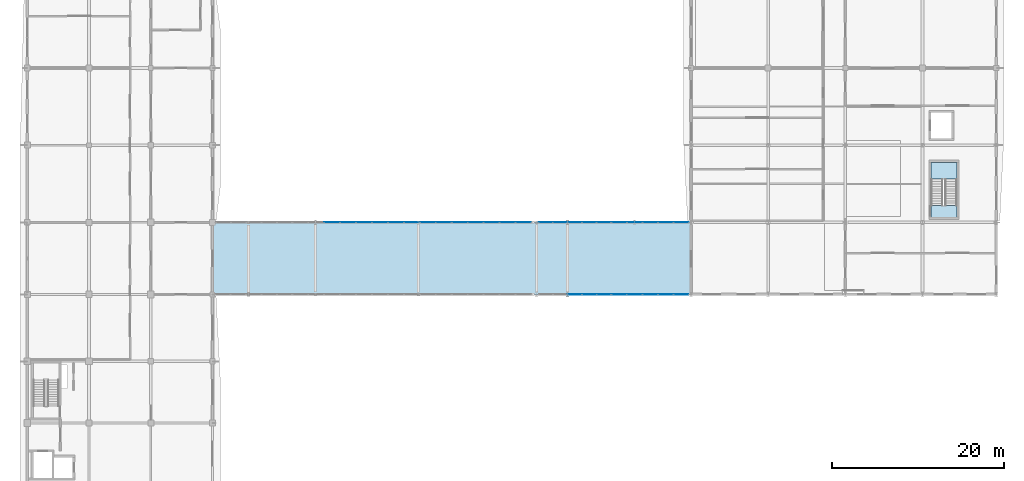
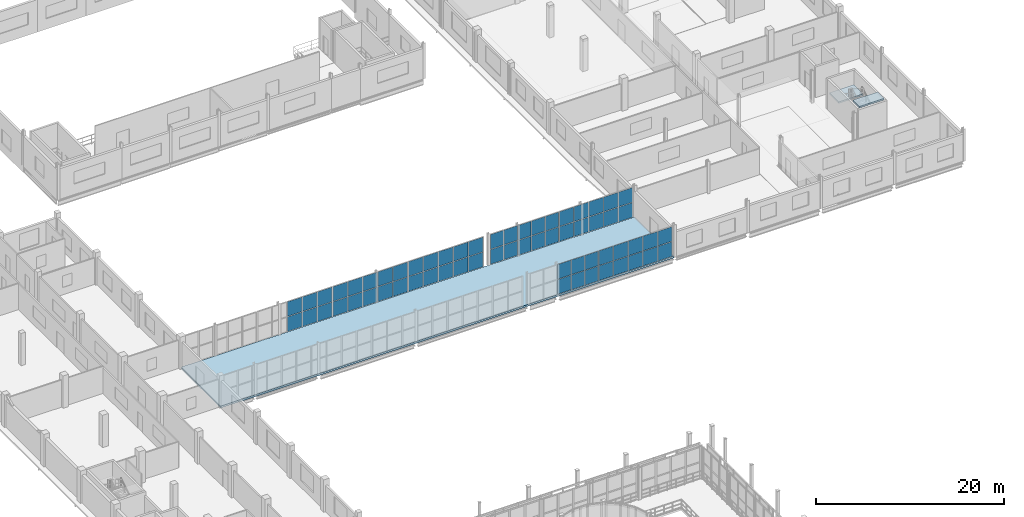
# One storey, part 86 of 121: 62 plates, 3 slabs, 8 elements without a shape of their own.
"""IFC4 building model written with IfcOpenShell, lengths in metres."""

import ifcopenshell
import ifcopenshell.guid

model = None  # the IFC model being written
_history = None  # IfcOwnerHistory: only IFC2X3 demands one
_inside = {}  # id of a spatial element -> (the spatial element, [elements in it])
_under = {}  # id of a project, library or spatial element -> (it, [spatial elements below it])
_declared = {}  # id of a project -> (the project, [libraries it declares])
_typed = {}  # id of a type object -> (the type object, [elements of that type])
_made_of = {}  # id of a material, layer set ... -> (it, [elements and type objects made of it])


def new_model(schema):
    """Start an empty IFC model of exactly this schema.

    Asked for "IFC4X3", IfcOpenShell would pick the latest addendum, in which some entities
    have other attributes; the version numbers below select the first issue.
    IFC2X3 requires an IfcOwnerHistory on every rooted entity: one is made here for all.
    """
    global model, _history
    if schema == "IFC4X3":
        model = ifcopenshell.file(schema_version=(4, 3, 0, 0))
    else:
        model = ifcopenshell.file(schema=schema)
    _inside.clear()
    _under.clear()
    _declared.clear()
    _typed.clear()
    _made_of.clear()
    _history = None
    if model.schema == "IFC2X3":
        org = make("IfcOrganization", Name="unknown")
        user = make(
            "IfcPersonAndOrganization",
            ThePerson=make("IfcPerson", FamilyName="unknown"),
            TheOrganization=org,
        )
        app = make(
            "IfcApplication",
            ApplicationDeveloper=org,
            Version="unknown",
            ApplicationFullName="unknown",
            ApplicationIdentifier="unknown",
        )
        _history = make(
            "IfcOwnerHistory",
            OwningUser=user,
            OwningApplication=app,
            ChangeAction="ADDED",
            CreationDate=0,
        )
    return model


def make(cls, **values):
    """One entity of the class cls with the attributes given. An attribute that is None is left unset."""
    return model.create_entity(
        cls, **{name: value for name, value in values.items() if value is not None}
    )


def rooted(cls, **values):
    """An entity with a GlobalId (a new one), such as an element, a storey or a relation."""
    return make(cls, GlobalId=ifcopenshell.guid.new(), OwnerHistory=_history, **values)


def si_unit(unit_type, name, prefix=None):
    """IfcSIUnit, for example si_unit("LENGTHUNIT", "METRE", prefix="MILLI")."""
    return make("IfcSIUnit", UnitType=unit_type, Prefix=prefix, Name=name)


def assignment(units):
    """IfcUnitAssignment: the units of a project."""
    return None if units is None else make("IfcUnitAssignment", Units=units)


def point(xyz):
    """IfcCartesianPoint."""
    return None if xyz is None else make("IfcCartesianPoint", Coordinates=xyz)


def direction(xyz):
    """IfcDirection."""
    return None if xyz is None else make("IfcDirection", DirectionRatios=xyz)


def frame(location, z_axis=None, x_axis=None):
    """IfcAxis2Placement3D, a coordinate frame: its origin and axes. An axis left out is left unset."""
    return make(
        "IfcAxis2Placement3D",
        Location=point(location),
        Axis=direction(z_axis),
        RefDirection=direction(x_axis),
    )


def frame_2d(location, x_axis=None):
    """IfcAxis2Placement2D, a coordinate frame in the plane: its origin and x axis."""
    return make(
        "IfcAxis2Placement2D", Location=point(location), RefDirection=direction(x_axis)
    )


def origin():
    """The frame at (0, 0, 0) with its axes left unset."""
    return frame((0.0, 0.0, 0.0))


def origin_2d():
    """The frame at (0, 0) in the plane with its x axis left unset."""
    return frame_2d((0.0, 0.0))


def place(relative_to, where):
    """IfcLocalPlacement: puts the frame where relative to a parent placement (None: the world)."""
    return make(
        "IfcLocalPlacement", PlacementRelTo=relative_to, RelativePlacement=where
    )


def context(
    kind, dimensions, precision=None, world=None, true_north=None, identifier=None
):
    """IfcGeometricRepresentationContext, for example the 3D "Model" context."""
    return make(
        "IfcGeometricRepresentationContext",
        ContextIdentifier=identifier,
        ContextType=kind,
        CoordinateSpaceDimension=dimensions,
        Precision=precision,
        WorldCoordinateSystem=world,
        TrueNorth=true_north,
    )


def subcontext(parent, identifier, kind, view, scale=None):
    """IfcGeometricRepresentationSubContext, for example "Body" below "Model"."""
    return make(
        "IfcGeometricRepresentationSubContext",
        ContextIdentifier=identifier,
        ContextType=kind,
        ParentContext=parent,
        TargetScale=scale,
        TargetView=view,
    )


def project(units=None, contexts=None):
    """IfcProject with its units and contexts."""
    return rooted(
        "IfcProject",
        Name="project",
        RepresentationContexts=contexts,
        UnitsInContext=assignment(units),
    )


def spatial(cls, under=None, at=None, **own):
    """A site, building, storey or space (cls), placed at a placement, below another one or the project."""
    s = rooted(cls, ObjectPlacement=at, **own)
    if under is not None:
        _under.setdefault(under.id(), (under, []))[1].append(s)
    return s


def polyline(points):
    """IfcPolyline through the points."""
    return make("IfcPolyline", Points=[point(p) for p in points])


def profile(cls, at=None, kind="AREA", **sizes):
    """A parametric profile (cls). Its sizes go by their IFC names, for example OverallWidth=200.0."""
    return make(cls, ProfileType=kind, Position=at, **sizes)


def rectangle(**sizes):
    """IfcRectangleProfileDef."""
    return profile("IfcRectangleProfileDef", **sizes)


def outline(outer, holes=None, kind="AREA"):
    """IfcArbitraryClosedProfileDef: a profile drawn as a closed curve; with holes, ...WithVoids."""
    if holes is None:
        return make("IfcArbitraryClosedProfileDef", ProfileType=kind, OuterCurve=outer)
    return make(
        "IfcArbitraryProfileDefWithVoids",
        ProfileType=kind,
        OuterCurve=outer,
        InnerCurves=holes,
    )


def extrude(swept, where, along, depth):
    """IfcExtrudedAreaSolid: the profile swept, set in the frame where, extruded along a direction by depth."""
    return make(
        "IfcExtrudedAreaSolid",
        SweptArea=swept,
        Position=where,
        ExtrudedDirection=direction(along),
        Depth=depth,
    )


def shape(context_of_items, identifier, shape_type, items):
    """IfcShapeRepresentation: the items that make up one representation, for example the "Body"."""
    return make(
        "IfcShapeRepresentation",
        ContextOfItems=context_of_items,
        RepresentationIdentifier=identifier,
        RepresentationType=shape_type,
        Items=items,
    )


def material(Name=None, Category=None):
    """IfcMaterial."""
    return make("IfcMaterial", Name=Name, Category=Category)


def layer(
    of_material, thickness, ventilated=None, Name=None, Category=None, Priority=None
):
    """IfcMaterialLayer: one layer of a wall or slab, of a material (None: an air gap)."""
    return make(
        "IfcMaterialLayer",
        Material=of_material,
        LayerThickness=thickness,
        IsVentilated=ventilated,
        Name=Name,
        Category=Category,
        Priority=Priority,
    )


def layer_set(layers, Name=None):
    """IfcMaterialLayerSet."""
    return make("IfcMaterialLayerSet", MaterialLayers=layers, LayerSetName=Name)


def made_of(thing, what):
    """Note that an element or type object is made of a material, layer set ...; save() writes the relation."""
    if what is not None:
        _made_of.setdefault(what.id(), (what, []))[1].append(thing)
    return thing


def type_object(cls, material=None, **own):
    """A type object (cls), such as IfcWallType, which elements share."""
    return made_of(rooted(cls, **own), material)


def element(
    cls,
    number,
    at=None,
    inside=None,
    cuts=None,
    type_object=None,
    material=None,
    context=None,
    identifier="Body",
    shape_type=None,
    held_by="IfcProductDefinitionShape",
    body=None,
    shapes=None,
    **own,
):
    """One element of the class cls, such as IfcWall. Its Tag is "e" and its number.

    at: its placement. inside: the storey or other place that contains it. cuts: it is an
    opening in that element (IfcRelVoidsElement). A single representation is given by context,
    identifier, shape_type and body (its items); several are given by shapes. held_by: the class
    of the entity that holds the representations. save() writes the other relations.
    """
    e = rooted(cls, Tag="e%d" % number, ObjectPlacement=at, **own)
    if body is not None:
        shapes = [shape(context, identifier, shape_type, body)]
    if shapes is not None:
        e.Representation = make(held_by, Representations=shapes)
    if inside is not None:
        _inside.setdefault(inside.id(), (inside, []))[1].append(e)
    if cuts is not None:
        rooted(
            "IfcRelVoidsElement", RelatingBuildingElement=cuts, RelatedOpeningElement=e
        )
    if type_object is not None:
        _typed.setdefault(type_object.id(), (type_object, []))[1].append(e)
    return made_of(e, material)


def aggregate(whole, parts):
    """IfcRelAggregates: a whole, such as a stair, and the parts it consists of."""
    return rooted("IfcRelAggregates", RelatingObject=whole, RelatedObjects=parts)


def save(model, path):
    """Write the relations noted so far, then the file.

    IfcRelAggregates (storeys below a building ...), IfcRelContainedInSpatialStructure (elements
    in a storey), IfcRelDefinesByType, IfcRelAssociatesMaterial and IfcRelDeclares: one each for
    every whole, place, type object, material and project.
    """
    for whole, parts in _under.values():
        aggregate(whole, parts)
    for where, things in _inside.values():
        rooted(
            "IfcRelContainedInSpatialStructure",
            RelatedElements=things,
            RelatingStructure=where,
        )
    for kind, things in _typed.values():
        rooted("IfcRelDefinesByType", RelatedObjects=things, RelatingType=kind)
    for what, things in _made_of.values():
        rooted("IfcRelAssociatesMaterial", RelatedObjects=things, RelatingMaterial=what)
    for by, libraries in _declared.values():
        rooted("IfcRelDeclares", RelatingContext=by, RelatedDefinitions=libraries)
    model.write(path)


model = new_model("IFC4")

# Units and contexts
model_context = context("Model", 3, precision=1e-05, world=origin(), true_north=direction((0.0, 1.0)))
body_context = subcontext(model_context, "Body", "Model", "MODEL_VIEW")
ifc_project = project(units=[si_unit("LENGTHUNIT", "METRE"), si_unit("AREAUNIT", "SQUARE_METRE"), si_unit("VOLUMEUNIT", "CUBIC_METRE"), si_unit("PLANEANGLEUNIT", "RADIAN"), si_unit("MASSUNIT", "GRAM", prefix="KILO")], contexts=[model_context])

# Site, building, storey
site_placement = place(None, origin())
site = spatial("IfcSite", under=ifc_project, at=site_placement, CompositionType="ELEMENT")
building_placement = place(site_placement, origin())
building = spatial("IfcBuilding", under=site, at=building_placement, Name="Vinh Khe Railworks Police Headquarters", CompositionType="ELEMENT")
storey_placement = place(building_placement, frame((0.0, 0.0, 4.800048828125)))
storey = spatial("IfcBuildingStorey", under=building, at=storey_placement, Name="L01", CompositionType="ELEMENT", Elevation=4.800048828125)

# Curtain wall, plates
ifc_material_1 = material(Name="Anodised aluminium and solar-control glass", Category="aluminium")
ifc_layer_1 = layer(ifc_material_1, 0.159912109375)
ifc_layer_set_1 = layer_set([ifc_layer_1], Name="Anodised aluminium and solar-control glass")
curtain_wall_type = type_object("IfcCurtainWallType", Name="CW-SHOPFRONT", PredefinedType="USERDEFINED", material=ifc_layer_set_1)
curtain_wall_1_placement = place(storey_placement, origin())
curtain_wall_1 = element("IfcCurtainWall", 1, at=curtain_wall_1_placement, inside=storey, type_object=curtain_wall_type, Name="Link Bridge North Glazing L01 Bay 2", ObjectType="UNITISED GLAZING", PredefinedType="USERDEFINED")
ifc_material_2 = material(Name="Low-iron laminated solar-control glass", Category="glass")
ifc_layer_2 = layer(ifc_material_2, 0.028076171875)
ifc_layer_set_2 = layer_set([ifc_layer_2], Name="Low-iron laminated solar-control glass")
plate_type = type_object("IfcPlateType", Name="PAN-GLZ-28", PredefinedType="CURTAIN_PANEL", material=ifc_layer_set_2)
plate_1_placement = place(storey_placement, frame((36.14990234375, 104.39990234375, 0.06005859375), z_axis=(0.0, 0.0, 1.0), x_axis=(1.0, 0.0, 0.0)))
plate_1 = element("IfcPlate", 2, at=plate_1_placement, type_object=plate_type, Name="CW-03 panel 3.1", PredefinedType="CURTAIN_PANEL", context=body_context, shape_type="SweptSolid", body=[
    extrude(rectangle(XDim=1.800048828125, YDim=0.028076171875, at=origin_2d()), origin(), (0.0, 0.0, 1.0), 1.89990234375),
])
plate_2_placement = place(storey_placement, frame((36.14990234375, 104.39990234375, 2.02001953125), z_axis=(0.0, 0.0, 1.0), x_axis=(1.0, 0.0, 0.0)))
plate_2 = element("IfcPlate", 3, at=plate_2_placement, type_object=plate_type, Name="CW-03 panel 3.2", PredefinedType="CURTAIN_PANEL", context=body_context, shape_type="SweptSolid", body=[
    extrude(rectangle(XDim=1.800048828125, YDim=0.028076171875, at=origin_2d()), origin(), (0.0, 0.0, 1.0), 1.89990234375),
])
plate_3_placement = place(storey_placement, frame((38.010009765625, 104.39990234375, 0.06005859375), z_axis=(0.0, 0.0, 1.0), x_axis=(1.0, 0.0, 0.0)))
plate_3 = element("IfcPlate", 4, at=plate_3_placement, type_object=plate_type, Name="CW-03 panel 4.1", PredefinedType="CURTAIN_PANEL", context=body_context, shape_type="SweptSolid", body=[
    extrude(rectangle(XDim=1.800048828125, YDim=0.028076171875, at=origin_2d()), origin(), (0.0, 0.0, 1.0), 1.89990234375),
])
plate_4_placement = place(storey_placement, frame((38.010009765625, 104.39990234375, 2.02001953125), z_axis=(0.0, 0.0, 1.0), x_axis=(1.0, 0.0, 0.0)))
plate_4 = element("IfcPlate", 5, at=plate_4_placement, type_object=plate_type, Name="CW-03 panel 4.2", PredefinedType="CURTAIN_PANEL", context=body_context, shape_type="SweptSolid", body=[
    extrude(rectangle(XDim=1.800048828125, YDim=0.028076171875, at=origin_2d()), origin(), (0.0, 0.0, 1.0), 1.89990234375),
])
plate_5_placement = place(storey_placement, frame((39.85498046875, 104.39990234375, 0.06005859375), z_axis=(0.0, 0.0, 1.0), x_axis=(1.0, 0.0, 0.0)))
plate_5 = element("IfcPlate", 6, at=plate_5_placement, type_object=plate_type, Name="CW-03 panel 5.1", PredefinedType="CURTAIN_PANEL", context=body_context, shape_type="SweptSolid", body=[
    extrude(rectangle(XDim=1.77001953125, YDim=0.028076171875, at=origin_2d()), origin(), (0.0, 0.0, 1.0), 1.89990234375),
])
plate_6_placement = place(storey_placement, frame((39.85498046875, 104.39990234375, 2.02001953125), z_axis=(0.0, 0.0, 1.0), x_axis=(1.0, 0.0, 0.0)))
plate_6 = element("IfcPlate", 7, at=plate_6_placement, type_object=plate_type, Name="CW-03 panel 5.2", PredefinedType="CURTAIN_PANEL", context=body_context, shape_type="SweptSolid", body=[
    extrude(rectangle(XDim=1.77001953125, YDim=0.028076171875, at=origin_2d()), origin(), (0.0, 0.0, 1.0), 1.89990234375),
])
aggregate(curtain_wall_1, [plate_1, plate_2, plate_3, plate_4, plate_5, plate_6])

curtain_wall_2_placement = place(storey_placement, origin())
curtain_wall_2 = element("IfcCurtainWall", 8, at=curtain_wall_2_placement, inside=storey, type_object=curtain_wall_type, Name="Link Bridge North Glazing L01 Bay 3", ObjectType="UNITISED GLAZING", PredefinedType="USERDEFINED")
plate_7_placement = place(storey_placement, frame((41.7451171875, 104.39990234375, 0.06005859375), z_axis=(0.0, 0.0, 1.0), x_axis=(1.0, 0.0, 0.0)))
plate_7 = element("IfcPlate", 9, at=plate_7_placement, type_object=plate_type, Name="CW-03 panel 1.1", PredefinedType="CURTAIN_PANEL", context=body_context, shape_type="SweptSolid", body=[
    extrude(rectangle(XDim=1.77001953125, YDim=0.028076171875, at=origin_2d()), origin(), (0.0, 0.0, 1.0), 1.89990234375),
])
plate_8_placement = place(storey_placement, frame((41.7451171875, 104.39990234375, 2.02001953125), z_axis=(0.0, 0.0, 1.0), x_axis=(1.0, 0.0, 0.0)))
plate_8 = element("IfcPlate", 10, at=plate_8_placement, type_object=plate_type, Name="CW-03 panel 1.2", PredefinedType="CURTAIN_PANEL", context=body_context, shape_type="SweptSolid", body=[
    extrude(rectangle(XDim=1.77001953125, YDim=0.028076171875, at=origin_2d()), origin(), (0.0, 0.0, 1.0), 1.89990234375),
])
plate_9_placement = place(storey_placement, frame((43.590087890625, 104.39990234375, 0.06005859375), z_axis=(0.0, 0.0, 1.0), x_axis=(1.0, 0.0, 0.0)))
plate_9 = element("IfcPlate", 11, at=plate_9_placement, type_object=plate_type, Name="CW-03 panel 2.1", PredefinedType="CURTAIN_PANEL", context=body_context, shape_type="SweptSolid", body=[
    extrude(rectangle(XDim=1.800048828125, YDim=0.028076171875, at=origin_2d()), origin(), (0.0, 0.0, 1.0), 1.89990234375),
])
plate_10_placement = place(storey_placement, frame((43.590087890625, 104.39990234375, 2.02001953125), z_axis=(0.0, 0.0, 1.0), x_axis=(1.0, 0.0, 0.0)))
plate_10 = element("IfcPlate", 12, at=plate_10_placement, type_object=plate_type, Name="CW-03 panel 2.2", PredefinedType="CURTAIN_PANEL", context=body_context, shape_type="SweptSolid", body=[
    extrude(rectangle(XDim=1.800048828125, YDim=0.028076171875, at=origin_2d()), origin(), (0.0, 0.0, 1.0), 1.89990234375),
])
plate_11_placement = place(storey_placement, frame((45.449951171875, 104.39990234375, 0.06005859375), z_axis=(0.0, 0.0, 1.0), x_axis=(1.0, 0.0, 0.0)))
plate_11 = element("IfcPlate", 13, at=plate_11_placement, type_object=plate_type, Name="CW-03 panel 3.1", PredefinedType="CURTAIN_PANEL", context=body_context, shape_type="SweptSolid", body=[
    extrude(rectangle(XDim=1.800048828125, YDim=0.028076171875, at=origin_2d()), origin(), (0.0, 0.0, 1.0), 1.89990234375),
])
plate_12_placement = place(storey_placement, frame((45.449951171875, 104.39990234375, 2.02001953125), z_axis=(0.0, 0.0, 1.0), x_axis=(1.0, 0.0, 0.0)))
plate_12 = element("IfcPlate", 14, at=plate_12_placement, type_object=plate_type, Name="CW-03 panel 3.2", PredefinedType="CURTAIN_PANEL", context=body_context, shape_type="SweptSolid", body=[
    extrude(rectangle(XDim=1.800048828125, YDim=0.028076171875, at=origin_2d()), origin(), (0.0, 0.0, 1.0), 1.89990234375),
])
plate_13_placement = place(storey_placement, frame((47.31005859375, 104.39990234375, 0.06005859375), z_axis=(0.0, 0.0, 1.0), x_axis=(1.0, 0.0, 0.0)))
plate_13 = element("IfcPlate", 15, at=plate_13_placement, type_object=plate_type, Name="CW-03 panel 4.1", PredefinedType="CURTAIN_PANEL", context=body_context, shape_type="SweptSolid", body=[
    extrude(rectangle(XDim=1.800048828125, YDim=0.028076171875, at=origin_2d()), origin(), (0.0, 0.0, 1.0), 1.89990234375),
])
plate_14_placement = place(storey_placement, frame((47.31005859375, 104.39990234375, 2.02001953125), z_axis=(0.0, 0.0, 1.0), x_axis=(1.0, 0.0, 0.0)))
plate_14 = element("IfcPlate", 16, at=plate_14_placement, type_object=plate_type, Name="CW-03 panel 4.2", PredefinedType="CURTAIN_PANEL", context=body_context, shape_type="SweptSolid", body=[
    extrude(rectangle(XDim=1.800048828125, YDim=0.028076171875, at=origin_2d()), origin(), (0.0, 0.0, 1.0), 1.89990234375),
])
plate_15_placement = place(storey_placement, frame((49.155029296875, 104.39990234375, 0.06005859375), z_axis=(0.0, 0.0, 1.0), x_axis=(1.0, 0.0, 0.0)))
plate_15 = element("IfcPlate", 17, at=plate_15_placement, type_object=plate_type, Name="CW-03 panel 5.1", PredefinedType="CURTAIN_PANEL", context=body_context, shape_type="SweptSolid", body=[
    extrude(rectangle(XDim=1.77001953125, YDim=0.028076171875, at=origin_2d()), origin(), (0.0, 0.0, 1.0), 1.89990234375),
])
plate_16_placement = place(storey_placement, frame((49.155029296875, 104.39990234375, 2.02001953125), z_axis=(0.0, 0.0, 1.0), x_axis=(1.0, 0.0, 0.0)))
plate_16 = element("IfcPlate", 18, at=plate_16_placement, type_object=plate_type, Name="CW-03 panel 5.2", PredefinedType="CURTAIN_PANEL", context=body_context, shape_type="SweptSolid", body=[
    extrude(rectangle(XDim=1.77001953125, YDim=0.028076171875, at=origin_2d()), origin(), (0.0, 0.0, 1.0), 1.89990234375),
])
aggregate(curtain_wall_2, [plate_7, plate_8, plate_9, plate_10, plate_11, plate_12, plate_13, plate_14, plate_15, plate_16])

curtain_wall_3_placement = place(storey_placement, origin())
curtain_wall_3 = element("IfcCurtainWall", 19, at=curtain_wall_3_placement, inside=storey, type_object=curtain_wall_type, Name="Link Bridge North Glazing L01 Bay 4", ObjectType="UNITISED GLAZING", PredefinedType="USERDEFINED")
plate_17_placement = place(storey_placement, frame((51.044921875, 104.39990234375, 0.06005859375), z_axis=(0.0, 0.0, 1.0), x_axis=(1.0, 0.0, 0.0)))
plate_17 = element("IfcPlate", 20, at=plate_17_placement, type_object=plate_type, Name="CW-03 panel 1.1", PredefinedType="CURTAIN_PANEL", context=body_context, shape_type="SweptSolid", body=[
    extrude(rectangle(XDim=1.77001953125, YDim=0.028076171875, at=origin_2d()), origin(), (0.0, 0.0, 1.0), 1.89990234375),
])
plate_18_placement = place(storey_placement, frame((51.044921875, 104.39990234375, 2.02001953125), z_axis=(0.0, 0.0, 1.0), x_axis=(1.0, 0.0, 0.0)))
plate_18 = element("IfcPlate", 21, at=plate_18_placement, type_object=plate_type, Name="CW-03 panel 1.2", PredefinedType="CURTAIN_PANEL", context=body_context, shape_type="SweptSolid", body=[
    extrude(rectangle(XDim=1.77001953125, YDim=0.028076171875, at=origin_2d()), origin(), (0.0, 0.0, 1.0), 1.89990234375),
])
plate_19_placement = place(storey_placement, frame((52.889892578125, 104.39990234375, 0.06005859375), z_axis=(0.0, 0.0, 1.0), x_axis=(1.0, 0.0, 0.0)))
plate_19 = element("IfcPlate", 22, at=plate_19_placement, type_object=plate_type, Name="CW-03 panel 2.1", PredefinedType="CURTAIN_PANEL", context=body_context, shape_type="SweptSolid", body=[
    extrude(rectangle(XDim=1.800048828125, YDim=0.028076171875, at=origin_2d()), origin(), (0.0, 0.0, 1.0), 1.89990234375),
])
plate_20_placement = place(storey_placement, frame((52.889892578125, 104.39990234375, 2.02001953125), z_axis=(0.0, 0.0, 1.0), x_axis=(1.0, 0.0, 0.0)))
plate_20 = element("IfcPlate", 23, at=plate_20_placement, type_object=plate_type, Name="CW-03 panel 2.2", PredefinedType="CURTAIN_PANEL", context=body_context, shape_type="SweptSolid", body=[
    extrude(rectangle(XDim=1.800048828125, YDim=0.028076171875, at=origin_2d()), origin(), (0.0, 0.0, 1.0), 1.89990234375),
])
plate_21_placement = place(storey_placement, frame((54.75, 104.39990234375, 0.06005859375), z_axis=(0.0, 0.0, 1.0), x_axis=(1.0, 0.0, 0.0)))
plate_21 = element("IfcPlate", 24, at=plate_21_placement, type_object=plate_type, Name="CW-03 panel 3.1", PredefinedType="CURTAIN_PANEL", context=body_context, shape_type="SweptSolid", body=[
    extrude(rectangle(XDim=1.800048828125, YDim=0.028076171875, at=origin_2d()), origin(), (0.0, 0.0, 1.0), 1.89990234375),
])
plate_22_placement = place(storey_placement, frame((54.75, 104.39990234375, 2.02001953125), z_axis=(0.0, 0.0, 1.0), x_axis=(1.0, 0.0, 0.0)))
plate_22 = element("IfcPlate", 25, at=plate_22_placement, type_object=plate_type, Name="CW-03 panel 3.2", PredefinedType="CURTAIN_PANEL", context=body_context, shape_type="SweptSolid", body=[
    extrude(rectangle(XDim=1.800048828125, YDim=0.028076171875, at=origin_2d()), origin(), (0.0, 0.0, 1.0), 1.89990234375),
])
plate_23_placement = place(storey_placement, frame((56.610107421875, 104.39990234375, 0.06005859375), z_axis=(0.0, 0.0, 1.0), x_axis=(1.0, 0.0, 0.0)))
plate_23 = element("IfcPlate", 26, at=plate_23_placement, type_object=plate_type, Name="CW-03 panel 4.1", PredefinedType="CURTAIN_PANEL", context=body_context, shape_type="SweptSolid", body=[
    extrude(rectangle(XDim=1.800048828125, YDim=0.028076171875, at=origin_2d()), origin(), (0.0, 0.0, 1.0), 1.89990234375),
])
plate_24_placement = place(storey_placement, frame((56.610107421875, 104.39990234375, 2.02001953125), z_axis=(0.0, 0.0, 1.0), x_axis=(1.0, 0.0, 0.0)))
plate_24 = element("IfcPlate", 27, at=plate_24_placement, type_object=plate_type, Name="CW-03 panel 4.2", PredefinedType="CURTAIN_PANEL", context=body_context, shape_type="SweptSolid", body=[
    extrude(rectangle(XDim=1.800048828125, YDim=0.028076171875, at=origin_2d()), origin(), (0.0, 0.0, 1.0), 1.89990234375),
])
plate_25_placement = place(storey_placement, frame((58.455078125, 104.39990234375, 0.06005859375), z_axis=(0.0, 0.0, 1.0), x_axis=(1.0, 0.0, 0.0)))
plate_25 = element("IfcPlate", 28, at=plate_25_placement, type_object=plate_type, Name="CW-03 panel 5.1", PredefinedType="CURTAIN_PANEL", context=body_context, shape_type="SweptSolid", body=[
    extrude(rectangle(XDim=1.77001953125, YDim=0.028076171875, at=origin_2d()), origin(), (0.0, 0.0, 1.0), 1.89990234375),
])
plate_26_placement = place(storey_placement, frame((58.455078125, 104.39990234375, 2.02001953125), z_axis=(0.0, 0.0, 1.0), x_axis=(1.0, 0.0, 0.0)))
plate_26 = element("IfcPlate", 29, at=plate_26_placement, type_object=plate_type, Name="CW-03 panel 5.2", PredefinedType="CURTAIN_PANEL", context=body_context, shape_type="SweptSolid", body=[
    extrude(rectangle(XDim=1.77001953125, YDim=0.028076171875, at=origin_2d()), origin(), (0.0, 0.0, 1.0), 1.89990234375),
])
aggregate(curtain_wall_3, [plate_17, plate_18, plate_19, plate_20, plate_21, plate_22, plate_23, plate_24, plate_25, plate_26])

curtain_wall_4_placement = place(storey_placement, origin())
curtain_wall_4 = element("IfcCurtainWall", 30, at=curtain_wall_4_placement, inside=storey, type_object=curtain_wall_type, Name="Link Bridge South Glazing L01 Bay 5", ObjectType="UNITISED GLAZING", PredefinedType="USERDEFINED")
plate_27_placement = place(storey_placement, frame((64.45751953125, 96.0, 0.06005859375), z_axis=(0.0, 0.0, 1.0), x_axis=(1.0, 0.0, 0.0)))
plate_27 = element("IfcPlate", 31, at=plate_27_placement, type_object=plate_type, Name="CW-03 panel 3.1", PredefinedType="CURTAIN_PANEL", context=body_context, shape_type="SweptSolid", body=[
    extrude(rectangle(XDim=1.636962890625, YDim=0.028076171875, at=origin_2d()), origin(), (0.0, 0.0, 1.0), 1.89990234375),
])
plate_28_placement = place(storey_placement, frame((64.45751953125, 96.0, 2.02001953125), z_axis=(0.0, 0.0, 1.0), x_axis=(1.0, 0.0, 0.0)))
plate_28 = element("IfcPlate", 32, at=plate_28_placement, type_object=plate_type, Name="CW-03 panel 3.2", PredefinedType="CURTAIN_PANEL", context=body_context, shape_type="SweptSolid", body=[
    extrude(rectangle(XDim=1.636962890625, YDim=0.028076171875, at=origin_2d()), origin(), (0.0, 0.0, 1.0), 1.89990234375),
])
plate_29_placement = place(storey_placement, frame((66.154541015625, 96.0, 0.06005859375), z_axis=(0.0, 0.0, 1.0), x_axis=(1.0, 0.0, 0.0)))
plate_29 = element("IfcPlate", 33, at=plate_29_placement, type_object=plate_type, Name="CW-03 panel 4.1", PredefinedType="CURTAIN_PANEL", context=body_context, shape_type="SweptSolid", body=[
    extrude(rectangle(XDim=1.636962890625, YDim=0.028076171875, at=origin_2d()), origin(), (0.0, 0.0, 1.0), 1.89990234375),
])
plate_30_placement = place(storey_placement, frame((66.154541015625, 96.0, 2.02001953125), z_axis=(0.0, 0.0, 1.0), x_axis=(1.0, 0.0, 0.0)))
plate_30 = element("IfcPlate", 34, at=plate_30_placement, type_object=plate_type, Name="CW-03 panel 4.2", PredefinedType="CURTAIN_PANEL", context=body_context, shape_type="SweptSolid", body=[
    extrude(rectangle(XDim=1.636962890625, YDim=0.028076171875, at=origin_2d()), origin(), (0.0, 0.0, 1.0), 1.89990234375),
])
plate_31_placement = place(storey_placement, frame((67.83642578125, 96.0, 0.06005859375), z_axis=(0.0, 0.0, 1.0), x_axis=(1.0, 0.0, 0.0)))
plate_31 = element("IfcPlate", 35, at=plate_31_placement, type_object=plate_type, Name="CW-03 panel 5.1", PredefinedType="CURTAIN_PANEL", context=body_context, shape_type="SweptSolid", body=[
    extrude(rectangle(XDim=1.60693359375, YDim=0.028076171875, at=origin_2d()), origin(), (0.0, 0.0, 1.0), 1.89990234375),
])
plate_32_placement = place(storey_placement, frame((67.83642578125, 96.0, 2.02001953125), z_axis=(0.0, 0.0, 1.0), x_axis=(1.0, 0.0, 0.0)))
plate_32 = element("IfcPlate", 36, at=plate_32_placement, type_object=plate_type, Name="CW-03 panel 5.2", PredefinedType="CURTAIN_PANEL", context=body_context, shape_type="SweptSolid", body=[
    extrude(rectangle(XDim=1.60693359375, YDim=0.028076171875, at=origin_2d()), origin(), (0.0, 0.0, 1.0), 1.89990234375),
])
aggregate(curtain_wall_4, [plate_27, plate_28, plate_29, plate_30, plate_31, plate_32])

curtain_wall_5_placement = place(storey_placement, origin())
curtain_wall_5 = element("IfcCurtainWall", 37, at=curtain_wall_5_placement, inside=storey, type_object=curtain_wall_type, Name="Link Bridge North Glazing L01 Bay 5", ObjectType="UNITISED GLAZING", PredefinedType="USERDEFINED")
plate_33_placement = place(storey_placement, frame((61.0380859375, 104.39990234375, 0.06005859375), z_axis=(0.0, 0.0, 1.0), x_axis=(1.0, 0.0, 0.0)))
plate_33 = element("IfcPlate", 38, at=plate_33_placement, type_object=plate_type, Name="CW-03 panel 1.1", PredefinedType="CURTAIN_PANEL", context=body_context, shape_type="SweptSolid", body=[
    extrude(rectangle(XDim=1.615966796875, YDim=0.028076171875, at=origin_2d()), origin(), (0.0, 0.0, 1.0), 1.89990234375),
])
plate_34_placement = place(storey_placement, frame((61.0380859375, 104.39990234375, 2.02001953125), z_axis=(0.0, 0.0, 1.0), x_axis=(1.0, 0.0, 0.0)))
plate_34 = element("IfcPlate", 39, at=plate_34_placement, type_object=plate_type, Name="CW-03 panel 1.2", PredefinedType="CURTAIN_PANEL", context=body_context, shape_type="SweptSolid", body=[
    extrude(rectangle(XDim=1.615966796875, YDim=0.028076171875, at=origin_2d()), origin(), (0.0, 0.0, 1.0), 1.89990234375),
])
plate_35_placement = place(storey_placement, frame((62.72900390625, 104.39990234375, 0.06005859375), z_axis=(0.0, 0.0, 1.0), x_axis=(1.0, 0.0, 0.0)))
plate_35 = element("IfcPlate", 40, at=plate_35_placement, type_object=plate_type, Name="CW-03 panel 2.1", PredefinedType="CURTAIN_PANEL", context=body_context, shape_type="SweptSolid", body=[
    extrude(rectangle(XDim=1.64599609375, YDim=0.028076171875, at=origin_2d()), origin(), (0.0, 0.0, 1.0), 1.89990234375),
])
plate_36_placement = place(storey_placement, frame((62.72900390625, 104.39990234375, 2.02001953125), z_axis=(0.0, 0.0, 1.0), x_axis=(1.0, 0.0, 0.0)))
plate_36 = element("IfcPlate", 41, at=plate_36_placement, type_object=plate_type, Name="CW-03 panel 2.2", PredefinedType="CURTAIN_PANEL", context=body_context, shape_type="SweptSolid", body=[
    extrude(rectangle(XDim=1.64599609375, YDim=0.028076171875, at=origin_2d()), origin(), (0.0, 0.0, 1.0), 1.89990234375),
])
plate_37_placement = place(storey_placement, frame((64.43505859375, 104.39990234375, 0.06005859375), z_axis=(0.0, 0.0, 1.0), x_axis=(1.0, 0.0, 0.0)))
plate_37 = element("IfcPlate", 42, at=plate_37_placement, type_object=plate_type, Name="CW-03 panel 3.1", PredefinedType="CURTAIN_PANEL", context=body_context, shape_type="SweptSolid", body=[
    extrude(rectangle(XDim=1.64599609375, YDim=0.028076171875, at=origin_2d()), origin(), (0.0, 0.0, 1.0), 1.89990234375),
])
plate_38_placement = place(storey_placement, frame((64.43505859375, 104.39990234375, 2.02001953125), z_axis=(0.0, 0.0, 1.0), x_axis=(1.0, 0.0, 0.0)))
plate_38 = element("IfcPlate", 43, at=plate_38_placement, type_object=plate_type, Name="CW-03 panel 3.2", PredefinedType="CURTAIN_PANEL", context=body_context, shape_type="SweptSolid", body=[
    extrude(rectangle(XDim=1.64599609375, YDim=0.028076171875, at=origin_2d()), origin(), (0.0, 0.0, 1.0), 1.89990234375),
])
plate_39_placement = place(storey_placement, frame((66.14111328125, 104.39990234375, 0.06005859375), z_axis=(0.0, 0.0, 1.0), x_axis=(1.0, 0.0, 0.0)))
plate_39 = element("IfcPlate", 44, at=plate_39_placement, type_object=plate_type, Name="CW-03 panel 4.1", PredefinedType="CURTAIN_PANEL", context=body_context, shape_type="SweptSolid", body=[
    extrude(rectangle(XDim=1.64599609375, YDim=0.028076171875, at=origin_2d()), origin(), (0.0, 0.0, 1.0), 1.89990234375),
])
plate_40_placement = place(storey_placement, frame((66.14111328125, 104.39990234375, 2.02001953125), z_axis=(0.0, 0.0, 1.0), x_axis=(1.0, 0.0, 0.0)))
plate_40 = element("IfcPlate", 45, at=plate_40_placement, type_object=plate_type, Name="CW-03 panel 4.2", PredefinedType="CURTAIN_PANEL", context=body_context, shape_type="SweptSolid", body=[
    extrude(rectangle(XDim=1.64599609375, YDim=0.028076171875, at=origin_2d()), origin(), (0.0, 0.0, 1.0), 1.89990234375),
])
plate_41_placement = place(storey_placement, frame((67.83203125, 104.39990234375, 0.06005859375), z_axis=(0.0, 0.0, 1.0), x_axis=(1.0, 0.0, 0.0)))
plate_41 = element("IfcPlate", 46, at=plate_41_placement, type_object=plate_type, Name="CW-03 panel 5.1", PredefinedType="CURTAIN_PANEL", context=body_context, shape_type="SweptSolid", body=[
    extrude(rectangle(XDim=1.615966796875, YDim=0.028076171875, at=origin_2d()), origin(), (0.0, 0.0, 1.0), 1.89990234375),
])
plate_42_placement = place(storey_placement, frame((67.83203125, 104.39990234375, 2.02001953125), z_axis=(0.0, 0.0, 1.0), x_axis=(1.0, 0.0, 0.0)))
plate_42 = element("IfcPlate", 47, at=plate_42_placement, type_object=plate_type, Name="CW-03 panel 5.2", PredefinedType="CURTAIN_PANEL", context=body_context, shape_type="SweptSolid", body=[
    extrude(rectangle(XDim=1.615966796875, YDim=0.028076171875, at=origin_2d()), origin(), (0.0, 0.0, 1.0), 1.89990234375),
])
aggregate(curtain_wall_5, [plate_33, plate_34, plate_35, plate_36, plate_37, plate_38, plate_39, plate_40, plate_41, plate_42])

curtain_wall_6_placement = place(storey_placement, origin())
curtain_wall_6 = element("IfcCurtainWall", 48, at=curtain_wall_6_placement, inside=storey, type_object=curtain_wall_type, Name="Link Bridge South Glazing L01 Bay 6", ObjectType="UNITISED GLAZING", PredefinedType="USERDEFINED")
plate_43_placement = place(storey_placement, frame((69.62109375, 96.0, 0.06005859375), z_axis=(0.0, 0.0, 1.0), x_axis=(1.0, 0.0, 0.0)))
plate_43 = element("IfcPlate", 49, at=plate_43_placement, type_object=plate_type, Name="CW-03 panel 1.1", PredefinedType="CURTAIN_PANEL", context=body_context, shape_type="SweptSolid", body=[
    extrude(rectangle(XDim=1.721923828125, YDim=0.028076171875, at=origin_2d()), origin(), (0.0, 0.0, 1.0), 1.89990234375),
])
plate_44_placement = place(storey_placement, frame((69.62109375, 96.0, 2.02001953125), z_axis=(0.0, 0.0, 1.0), x_axis=(1.0, 0.0, 0.0)))
plate_44 = element("IfcPlate", 50, at=plate_44_placement, type_object=plate_type, Name="CW-03 panel 1.2", PredefinedType="CURTAIN_PANEL", context=body_context, shape_type="SweptSolid", body=[
    extrude(rectangle(XDim=1.721923828125, YDim=0.028076171875, at=origin_2d()), origin(), (0.0, 0.0, 1.0), 1.89990234375),
])
plate_45_placement = place(storey_placement, frame((71.41796875, 96.0, 0.06005859375), z_axis=(0.0, 0.0, 1.0), x_axis=(1.0, 0.0, 0.0)))
plate_45 = element("IfcPlate", 51, at=plate_45_placement, type_object=plate_type, Name="CW-03 panel 2.1", PredefinedType="CURTAIN_PANEL", context=body_context, shape_type="SweptSolid", body=[
    extrude(rectangle(XDim=1.751953125, YDim=0.028076171875, at=origin_2d()), origin(), (0.0, 0.0, 1.0), 1.89990234375),
])
plate_46_placement = place(storey_placement, frame((71.41796875, 96.0, 2.02001953125), z_axis=(0.0, 0.0, 1.0), x_axis=(1.0, 0.0, 0.0)))
plate_46 = element("IfcPlate", 52, at=plate_46_placement, type_object=plate_type, Name="CW-03 panel 2.2", PredefinedType="CURTAIN_PANEL", context=body_context, shape_type="SweptSolid", body=[
    extrude(rectangle(XDim=1.751953125, YDim=0.028076171875, at=origin_2d()), origin(), (0.0, 0.0, 1.0), 1.89990234375),
])
plate_47_placement = place(storey_placement, frame((73.22998046875, 96.0, 0.06005859375), z_axis=(0.0, 0.0, 1.0), x_axis=(1.0, 0.0, 0.0)))
plate_47 = element("IfcPlate", 53, at=plate_47_placement, type_object=plate_type, Name="CW-03 panel 3.1", PredefinedType="CURTAIN_PANEL", context=body_context, shape_type="SweptSolid", body=[
    extrude(rectangle(XDim=1.751953125, YDim=0.028076171875, at=origin_2d()), origin(), (0.0, 0.0, 1.0), 1.89990234375),
])
plate_48_placement = place(storey_placement, frame((73.22998046875, 96.0, 2.02001953125), z_axis=(0.0, 0.0, 1.0), x_axis=(1.0, 0.0, 0.0)))
plate_48 = element("IfcPlate", 54, at=plate_48_placement, type_object=plate_type, Name="CW-03 panel 3.2", PredefinedType="CURTAIN_PANEL", context=body_context, shape_type="SweptSolid", body=[
    extrude(rectangle(XDim=1.751953125, YDim=0.028076171875, at=origin_2d()), origin(), (0.0, 0.0, 1.0), 1.89990234375),
])
plate_49_placement = place(storey_placement, frame((75.0419921875, 96.0, 0.06005859375), z_axis=(0.0, 0.0, 1.0), x_axis=(1.0, 0.0, 0.0)))
plate_49 = element("IfcPlate", 55, at=plate_49_placement, type_object=plate_type, Name="CW-03 panel 4.1", PredefinedType="CURTAIN_PANEL", context=body_context, shape_type="SweptSolid", body=[
    extrude(rectangle(XDim=1.751953125, YDim=0.028076171875, at=origin_2d()), origin(), (0.0, 0.0, 1.0), 1.89990234375),
])
plate_50_placement = place(storey_placement, frame((75.0419921875, 96.0, 2.02001953125), z_axis=(0.0, 0.0, 1.0), x_axis=(1.0, 0.0, 0.0)))
plate_50 = element("IfcPlate", 56, at=plate_50_placement, type_object=plate_type, Name="CW-03 panel 4.2", PredefinedType="CURTAIN_PANEL", context=body_context, shape_type="SweptSolid", body=[
    extrude(rectangle(XDim=1.751953125, YDim=0.028076171875, at=origin_2d()), origin(), (0.0, 0.0, 1.0), 1.89990234375),
])
plate_51_placement = place(storey_placement, frame((76.839111328125, 96.0, 0.06005859375), z_axis=(0.0, 0.0, 1.0), x_axis=(1.0, 0.0, 0.0)))
plate_51 = element("IfcPlate", 57, at=plate_51_placement, type_object=plate_type, Name="CW-03 panel 5.1", PredefinedType="CURTAIN_PANEL", context=body_context, shape_type="SweptSolid", body=[
    extrude(rectangle(XDim=1.721923828125, YDim=0.028076171875, at=origin_2d()), origin(), (0.0, 0.0, 1.0), 1.89990234375),
])
plate_52_placement = place(storey_placement, frame((76.839111328125, 96.0, 2.02001953125), z_axis=(0.0, 0.0, 1.0), x_axis=(1.0, 0.0, 0.0)))
plate_52 = element("IfcPlate", 58, at=plate_52_placement, type_object=plate_type, Name="CW-03 panel 5.2", PredefinedType="CURTAIN_PANEL", context=body_context, shape_type="SweptSolid", body=[
    extrude(rectangle(XDim=1.721923828125, YDim=0.028076171875, at=origin_2d()), origin(), (0.0, 0.0, 1.0), 1.89990234375),
])
aggregate(curtain_wall_6, [plate_43, plate_44, plate_45, plate_46, plate_47, plate_48, plate_49, plate_50, plate_51, plate_52])

curtain_wall_7_placement = place(storey_placement, origin())
curtain_wall_7 = element("IfcCurtainWall", 59, at=curtain_wall_7_placement, inside=storey, type_object=curtain_wall_type, Name="Link Bridge North Glazing L01 Bay 6", ObjectType="UNITISED GLAZING", PredefinedType="USERDEFINED")
plate_53_placement = place(storey_placement, frame((69.62353515625, 104.39990234375, 0.06005859375), z_axis=(0.0, 0.0, 1.0), x_axis=(1.0, 0.0, 0.0)))
plate_53 = element("IfcPlate", 60, at=plate_53_placement, type_object=plate_type, Name="CW-03 panel 1.1", PredefinedType="CURTAIN_PANEL", context=body_context, shape_type="SweptSolid", body=[
    extrude(rectangle(XDim=1.72705078125, YDim=0.028076171875, at=origin_2d()), origin(), (0.0, 0.0, 1.0), 1.89990234375),
])
plate_54_placement = place(storey_placement, frame((69.62353515625, 104.39990234375, 2.02001953125), z_axis=(0.0, 0.0, 1.0), x_axis=(1.0, 0.0, 0.0)))
plate_54 = element("IfcPlate", 61, at=plate_54_placement, type_object=plate_type, Name="CW-03 panel 1.2", PredefinedType="CURTAIN_PANEL", context=body_context, shape_type="SweptSolid", body=[
    extrude(rectangle(XDim=1.72705078125, YDim=0.028076171875, at=origin_2d()), origin(), (0.0, 0.0, 1.0), 1.89990234375),
])
plate_55_placement = place(storey_placement, frame((71.425537109375, 104.39990234375, 0.06005859375), z_axis=(0.0, 0.0, 1.0), x_axis=(1.0, 0.0, 0.0)))
plate_55 = element("IfcPlate", 62, at=plate_55_placement, type_object=plate_type, Name="CW-03 panel 2.1", PredefinedType="CURTAIN_PANEL", context=body_context, shape_type="SweptSolid", body=[
    extrude(rectangle(XDim=1.757080078125, YDim=0.028076171875, at=origin_2d()), origin(), (0.0, 0.0, 1.0), 1.89990234375),
])
plate_56_placement = place(storey_placement, frame((71.425537109375, 104.39990234375, 2.02001953125), z_axis=(0.0, 0.0, 1.0), x_axis=(1.0, 0.0, 0.0)))
plate_56 = element("IfcPlate", 63, at=plate_56_placement, type_object=plate_type, Name="CW-03 panel 2.2", PredefinedType="CURTAIN_PANEL", context=body_context, shape_type="SweptSolid", body=[
    extrude(rectangle(XDim=1.757080078125, YDim=0.028076171875, at=origin_2d()), origin(), (0.0, 0.0, 1.0), 1.89990234375),
])
plate_57_placement = place(storey_placement, frame((73.242431640625, 104.39990234375, 0.06005859375), z_axis=(0.0, 0.0, 1.0), x_axis=(1.0, 0.0, 0.0)))
plate_57 = element("IfcPlate", 64, at=plate_57_placement, type_object=plate_type, Name="CW-03 panel 3.1", PredefinedType="CURTAIN_PANEL", context=body_context, shape_type="SweptSolid", body=[
    extrude(rectangle(XDim=1.757080078125, YDim=0.028076171875, at=origin_2d()), origin(), (0.0, 0.0, 1.0), 1.89990234375),
])
plate_58_placement = place(storey_placement, frame((73.242431640625, 104.39990234375, 2.02001953125), z_axis=(0.0, 0.0, 1.0), x_axis=(1.0, 0.0, 0.0)))
plate_58 = element("IfcPlate", 65, at=plate_58_placement, type_object=plate_type, Name="CW-03 panel 3.2", PredefinedType="CURTAIN_PANEL", context=body_context, shape_type="SweptSolid", body=[
    extrude(rectangle(XDim=1.757080078125, YDim=0.028076171875, at=origin_2d()), origin(), (0.0, 0.0, 1.0), 1.89990234375),
])
plate_59_placement = place(storey_placement, frame((75.0595703125, 104.39990234375, 0.06005859375), z_axis=(0.0, 0.0, 1.0), x_axis=(1.0, 0.0, 0.0)))
plate_59 = element("IfcPlate", 66, at=plate_59_placement, type_object=plate_type, Name="CW-03 panel 4.1", PredefinedType="CURTAIN_PANEL", context=body_context, shape_type="SweptSolid", body=[
    extrude(rectangle(XDim=1.757080078125, YDim=0.028076171875, at=origin_2d()), origin(), (0.0, 0.0, 1.0), 1.89990234375),
])
plate_60_placement = place(storey_placement, frame((75.0595703125, 104.39990234375, 2.02001953125), z_axis=(0.0, 0.0, 1.0), x_axis=(1.0, 0.0, 0.0)))
plate_60 = element("IfcPlate", 67, at=plate_60_placement, type_object=plate_type, Name="CW-03 panel 4.2", PredefinedType="CURTAIN_PANEL", context=body_context, shape_type="SweptSolid", body=[
    extrude(rectangle(XDim=1.757080078125, YDim=0.028076171875, at=origin_2d()), origin(), (0.0, 0.0, 1.0), 1.89990234375),
])
plate_61_placement = place(storey_placement, frame((76.861572265625, 104.39990234375, 0.06005859375), z_axis=(0.0, 0.0, 1.0), x_axis=(1.0, 0.0, 0.0)))
plate_61 = element("IfcPlate", 68, at=plate_61_placement, type_object=plate_type, Name="CW-03 panel 5.1", PredefinedType="CURTAIN_PANEL", context=body_context, shape_type="SweptSolid", body=[
    extrude(rectangle(XDim=1.72705078125, YDim=0.028076171875, at=origin_2d()), origin(), (0.0, 0.0, 1.0), 1.89990234375),
])
plate_62_placement = place(storey_placement, frame((76.861572265625, 104.39990234375, 2.02001953125), z_axis=(0.0, 0.0, 1.0), x_axis=(1.0, 0.0, 0.0)))
plate_62 = element("IfcPlate", 69, at=plate_62_placement, type_object=plate_type, Name="CW-03 panel 5.2", PredefinedType="CURTAIN_PANEL", context=body_context, shape_type="SweptSolid", body=[
    extrude(rectangle(XDim=1.72705078125, YDim=0.028076171875, at=origin_2d()), origin(), (0.0, 0.0, 1.0), 1.89990234375),
])
aggregate(curtain_wall_7, [plate_53, plate_54, plate_55, plate_56, plate_57, plate_58, plate_59, plate_60, plate_61, plate_62])

# Stair, slabs
ifc_material_3 = material(Name="Precast concrete C40/50 (B40)", Category="concrete")
stair_type = type_object("IfcStairType", Name="ST-CORE-DOGLEG", PredefinedType="HALF_TURN_STAIR", material=ifc_material_3)
stair_placement = place(storey_placement, origin())
stair = element("IfcStair", 70, at=stair_placement, inside=storey, type_object=stair_type, Name="L01 Escape Stair ST-04", PredefinedType="HALF_TURN_STAIR")
ifc_material_4 = material(Name="Concrete C35/45 (B35)", Category="concrete")
ifc_layer_3 = layer(ifc_material_4, 0.199951171875)
ifc_layer_set_3 = layer_set([ifc_layer_3], Name="Concrete C35/45 (B35)")
slab_type_1 = type_object("IfcSlabType", Name="SLB-LAND-200", PredefinedType="LANDING", material=ifc_layer_set_3)
slab_1_placement = place(storey_placement, frame((0.0, 0.0, 1.89990234375)))
slab_1 = element("IfcSlab", 71, at=slab_1_placement, type_object=slab_type_1, Name="ST-04 landing 1", PredefinedType="LANDING", context=body_context, shape_type="SweptSolid", body=[
    extrude(outline(polyline([(109.0, 109.429931640625), (109.0, 111.39990234375), (106.0, 111.39990234375), (106.0, 109.429931640625), (109.0, 109.429931640625)])), origin(), (0.0, 0.0, 1.0), 0.199951171875),
])
slab_2_placement = place(storey_placement, frame((0.0, 0.0, 4.0)))
slab_2 = element("IfcSlab", 72, at=slab_2_placement, type_object=slab_type_1, Name="ST-04 landing 2", PredefinedType="LANDING", context=body_context, shape_type="SweptSolid", body=[
    extrude(outline(polyline([(105.97998046875, 104.97998046875), (109.02001953125, 104.97998046875), (109.02001953125, 106.360107421875), (105.97998046875, 106.360107421875), (105.97998046875, 104.97998046875)])), origin(), (0.0, 0.0, 1.0), 0.199951171875),
])
aggregate(stair, [slab_1, slab_2])

# Slab
ifc_layer_4 = layer(ifc_material_4, 0.239990234375)
ifc_layer_set_4 = layer_set([ifc_layer_4], Name="Concrete C35/45 (B35)")
slab_type_2 = type_object("IfcSlabType", Name="Suspended Floor Slab 240", PredefinedType="FLOOR", material=ifc_layer_set_4)
slab_3_placement = place(storey_placement, frame((0.0, 0.0, -0.239990234375)))
element("IfcSlab", 73, at=slab_3_placement, inside=storey, type_object=slab_type_2, Name="BRIDGE Floor Slab (L01)", PredefinedType="FLOOR", context=body_context, shape_type="SweptSolid", body=[
    extrude(outline(polyline([(22.2099609375, 96.0), (77.989990234375, 96.0), (77.989990234375, 104.39990234375), (22.2099609375, 104.39990234375), (22.2099609375, 96.0)])), origin(), (0.0, 0.0, 1.0), 0.239990234375),
])

save(model, "model.ifc")
